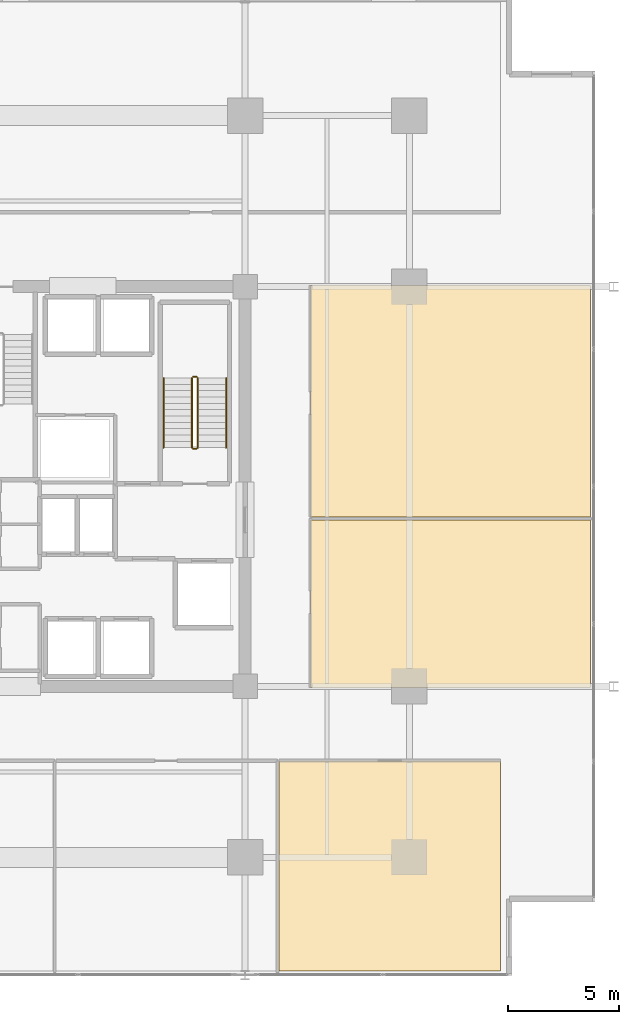
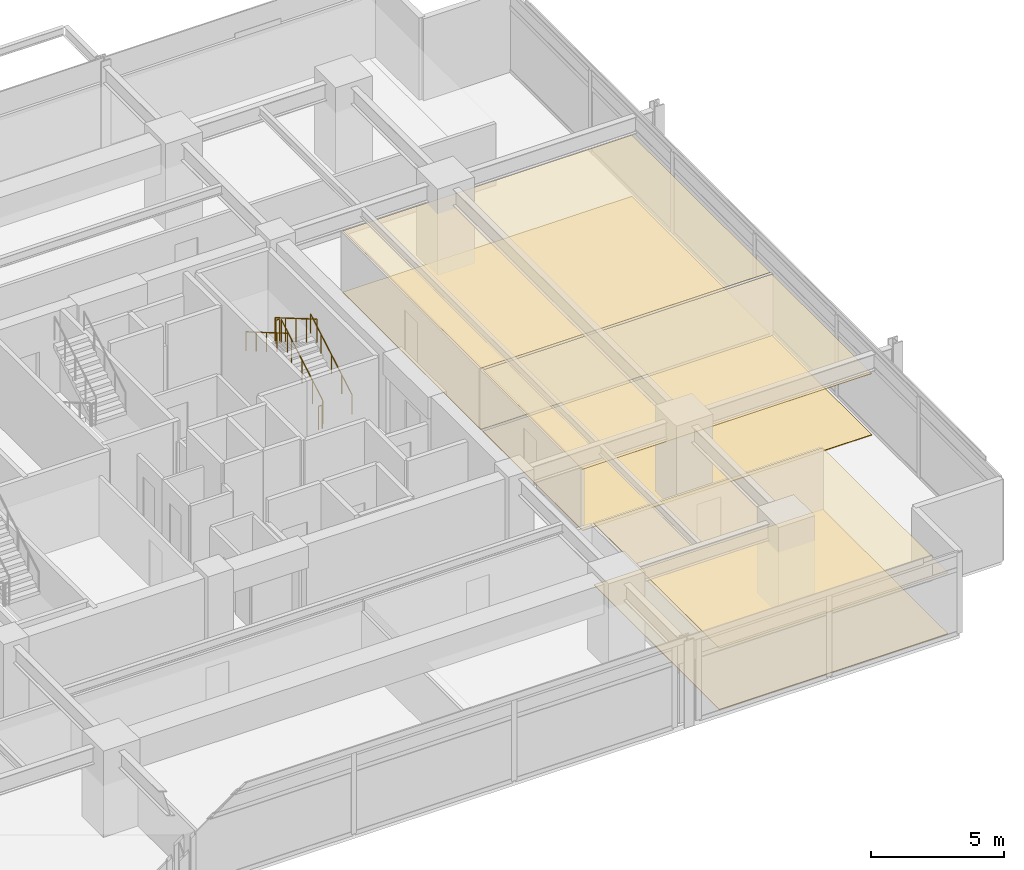
# One storey, part 19 of 20: 6 coverings, 6 railings.
"""IFC4 building model written with IfcOpenShell, lengths in metres."""

from ifc_helpers import new_model, si_unit, direction, frame, origin, origin_2d, place, context, subcontext, project, spatial, polyline, circle, outline, extrude, material, layer, layer_set, type_object, element, save


model = new_model("IFC4")

# Units and contexts
model_context = context("Model", 3, precision=1e-05, world=origin(), true_north=direction((0.0, 1.0)))
body_context = subcontext(model_context, "Body", "Model", "MODEL_VIEW")
ifc_project = project(units=[si_unit("LENGTHUNIT", "METRE"), si_unit("AREAUNIT", "SQUARE_METRE"), si_unit("VOLUMEUNIT", "CUBIC_METRE"), si_unit("PLANEANGLEUNIT", "RADIAN"), si_unit("MASSUNIT", "GRAM", prefix="KILO")], contexts=[model_context])

# Site, building, storey
site_placement = place(None, origin())
site = spatial("IfcSite", under=ifc_project, at=site_placement, CompositionType="ELEMENT")
building_placement = place(site_placement, origin())
building = spatial("IfcBuilding", under=site, at=building_placement, Name="Kovane Verandah Tower", CompositionType="ELEMENT")
storey_placement = place(building_placement, frame((0.0, 0.0, 164.39990234375)))
storey = spatial("IfcBuildingStorey", under=building, at=storey_placement, Name="L38", CompositionType="ELEMENT", Elevation=164.39990234375)

# Coverings
ifc_material_1 = material(Name="Perforated Acoustic Mineral-Fibre Ceiling Tile", Category="gypsum")
ifc_layer_1 = layer(ifc_material_1, 0.02490234375)
ifc_layer_set_1 = layer_set([ifc_layer_1], Name="Perforated Acoustic Mineral-Fibre Ceiling Tile")
covering_type_1 = type_object("IfcCoveringType", Name="CV-CEIL-25", PredefinedType="CEILING", material=ifc_layer_set_1)
covering_1_placement = place(storey_placement, frame((0.0, 0.0, 2.8251953125)))
element("IfcCovering", 1, at=covering_1_placement, inside=storey, type_object=covering_type_1, Name="L38 Executive Office S4 Acoustic Ceiling", PredefinedType="CEILING", context=body_context, shape_type="SweptSolid", body=[
    extrude(outline(polyline([(52.532958984375, 5.677001953125), (62.498046875, 5.677001953125), (62.498046875, 15.14990234375), (52.532958984375, 15.14990234375), (52.532958984375, 5.677001953125)])), origin(), (0.0, 0.0, 1.0), 0.02490234375),
])
covering_2_placement = place(storey_placement, frame((0.0, 0.0, 2.8251953125)))
element("IfcCovering", 2, at=covering_2_placement, inside=storey, type_object=covering_type_1, Name="L38 Breakout Pantry E1 Acoustic Ceiling", PredefinedType="CEILING", context=body_context, shape_type="SweptSolid", body=[
    extrude(outline(polyline([(53.949951171875, 18.449951171875), (66.548095703125, 18.449951171875), (66.548095703125, 25.98193359375), (53.949951171875, 25.98193359375), (53.949951171875, 18.449951171875)])), origin(), (0.0, 0.0, 1.0), 0.02490234375),
])
covering_3_placement = place(storey_placement, frame((0.0, 0.0, 2.8251953125)))
element("IfcCovering", 3, at=covering_3_placement, inside=storey, type_object=covering_type_1, Name="L38 Collaboration Hub E2 Acoustic Ceiling", PredefinedType="CEILING", context=body_context, shape_type="SweptSolid", body=[
    extrude(outline(polyline([(53.949951171875, 26.1220703125), (66.548095703125, 26.1220703125), (66.548095703125, 36.550048828125), (53.949951171875, 36.550048828125), (53.949951171875, 26.1220703125)])), origin(), (0.0, 0.0, 1.0), 0.02490234375),
])
ifc_material_2 = material(Name="Polished Terrazzo and Raised-Access Carpet Tile Finish", Category="concrete")
ifc_layer_2 = layer(ifc_material_2, 0.030029296875)
ifc_layer_set_2 = layer_set([ifc_layer_2], Name="Polished Terrazzo and Raised-Access Carpet Tile Finish")
covering_type_2 = type_object("IfcCoveringType", Name="CV-FLOR-30", PredefinedType="FLOORING", material=ifc_layer_set_2)
covering_4_placement = place(storey_placement, origin())
element("IfcCovering", 4, at=covering_4_placement, inside=storey, type_object=covering_type_2, Name="L38 Executive Office S4 Floor Finish", PredefinedType="FLOORING", context=body_context, shape_type="SweptSolid", body=[
    extrude(outline(polyline([(52.532958984375, 5.677001953125), (62.498046875, 5.677001953125), (62.498046875, 15.14990234375), (52.532958984375, 15.14990234375), (52.532958984375, 5.677001953125)])), origin(), (0.0, 0.0, 1.0), 0.030029296875),
])
covering_5_placement = place(storey_placement, origin())
element("IfcCovering", 5, at=covering_5_placement, inside=storey, type_object=covering_type_2, Name="L38 Breakout Pantry E1 Floor Finish", PredefinedType="FLOORING", context=body_context, shape_type="SweptSolid", body=[
    extrude(outline(polyline([(53.949951171875, 18.449951171875), (66.548095703125, 18.449951171875), (66.548095703125, 25.98193359375), (53.949951171875, 25.98193359375), (53.949951171875, 18.449951171875)])), origin(), (0.0, 0.0, 1.0), 0.030029296875),
])
covering_6_placement = place(storey_placement, origin())
element("IfcCovering", 6, at=covering_6_placement, inside=storey, type_object=covering_type_2, Name="L38 Collaboration Hub E2 Floor Finish", PredefinedType="FLOORING", context=body_context, shape_type="SweptSolid", body=[
    extrude(outline(polyline([(53.949951171875, 26.1220703125), (66.548095703125, 26.1220703125), (66.548095703125, 36.550048828125), (53.949951171875, 36.550048828125), (53.949951171875, 26.1220703125)])), origin(), (0.0, 0.0, 1.0), 0.030029296875),
])

# Railings
ifc_material_3 = material(Name="Brushed Stainless Steel Handrail", Category="steel")
railing_type_1 = type_object("IfcRailingType", Name="RL-HAND-920", PredefinedType="HANDRAIL", material=ifc_material_3)
railing_1_placement = place(storey_placement, frame((50.14990234375, 29.25, 0.166748046875)))
element("IfcRailing", 7, at=railing_1_placement, inside=storey, type_object=railing_type_1, Name="L38 ST-02 stair handrail 1", PredefinedType="HANDRAIL", context=body_context, shape_type="SweptSolid", body=[
    extrude(circle(Radius=0.02392578125, at=origin_2d()), frame((0.0, 0.0, 0.8759765625), z_axis=(0.0, 0.863239559939, 0.504794475164), x_axis=(-1.0, 0.0, 0.0)), (0.0, 0.0, 1.0), 3.631591796875),
    extrude(circle(Radius=0.02099609375, at=origin_2d()), origin(), (0.0, 0.0, 1.0), 0.851806640625),
    extrude(circle(Radius=0.02099609375, at=origin_2d()), frame((0.0, 0.78369140625, 0.458251953125)), (0.0, 0.0, 1.0), 0.851806640625),
    extrude(circle(Radius=0.02099609375, at=origin_2d()), frame((0.0, 1.5673828125, 0.91650390625)), (0.0, 0.0, 1.0), 0.851806640625),
    extrude(circle(Radius=0.02099609375, at=origin_2d()), frame((0.0, 2.351318359375, 1.375)), (0.0, 0.0, 1.0), 0.851806640625),
    extrude(circle(Radius=0.02099609375, at=origin_2d()), frame((0.0, 3.135009765625, 1.833251953125)), (0.0, 0.0, 1.0), 0.851806640625),
])
railing_2_placement = place(storey_placement, frame((47.330078125, 32.385009765625, 2.166748046875)))
element("IfcRailing", 8, at=railing_2_placement, inside=storey, type_object=railing_type_1, Name="L38 ST-02 stair handrail 2", PredefinedType="HANDRAIL", context=body_context, shape_type="SweptSolid", body=[
    extrude(circle(Radius=0.02392578125, at=origin_2d()), frame((0.0, 0.0, 0.8759765625), z_axis=(0.0, -0.863239559939, 0.504794475164), x_axis=(1.0, 0.0, 0.0)), (0.0, 0.0, 1.0), 3.631591796875),
    extrude(circle(Radius=0.02099609375, at=origin_2d()), origin(), (0.0, 0.0, 1.0), 0.851806640625),
    extrude(circle(Radius=0.02099609375, at=origin_2d()), frame((0.0, -0.78369140625, 0.458251953125)), (0.0, 0.0, 1.0), 0.851806640625),
    extrude(circle(Radius=0.02099609375, at=origin_2d()), frame((0.0, -1.5673828125, 0.91650390625)), (0.0, 0.0, 1.0), 0.851806640625),
    extrude(circle(Radius=0.02099609375, at=origin_2d()), frame((0.0, -2.351318359375, 1.375)), (0.0, 0.0, 1.0), 0.851806640625),
    extrude(circle(Radius=0.02099609375, at=origin_2d()), frame((0.0, -3.135009765625, 1.833251953125)), (0.0, 0.0, 1.0), 0.851806640625),
])
ifc_material_4 = material(Name="Painted Steel Stairwell Guardrail", Category="steel")
railing_type_2 = type_object("IfcRailingType", Name="RL-STGUARD-1120", PredefinedType="GUARDRAIL", material=ifc_material_4)
railing_3_placement = place(storey_placement, frame((48.8701171875, 29.25, 0.166748046875)))
element("IfcRailing", 9, at=railing_3_placement, inside=storey, type_object=railing_type_2, Name="L38 ST-02 stair guard 1", PredefinedType="GUARDRAIL", context=body_context, shape_type="SweptSolid", body=[
    extrude(circle(Radius=0.02392578125, at=origin_2d()), frame((0.0, 0.0, 1.076171875), z_axis=(0.0, 0.863239559939, 0.504794475164), x_axis=(-1.0, 0.0, 0.0)), (0.0, 0.0, 1.0), 3.631591796875),
    extrude(circle(Radius=0.02099609375, at=origin_2d()), origin(), (0.0, 0.0, 1.0), 1.052001953125),
    extrude(circle(Radius=0.02099609375, at=origin_2d()), frame((0.0, 0.78369140625, 0.458251953125)), (0.0, 0.0, 1.0), 1.052001953125),
    extrude(circle(Radius=0.02099609375, at=origin_2d()), frame((0.0, 1.5673828125, 0.91650390625)), (0.0, 0.0, 1.0), 1.052001953125),
    extrude(circle(Radius=0.02099609375, at=origin_2d()), frame((0.0, 2.351318359375, 1.375)), (0.0, 0.0, 1.0), 1.052001953125),
    extrude(circle(Radius=0.02099609375, at=origin_2d()), frame((0.0, 3.135009765625, 1.833251953125)), (0.0, 0.0, 1.0), 1.052001953125),
])
railing_4_placement = place(storey_placement, frame((48.820068359375, 32.43505859375, 2.0)))
element("IfcRailing", 10, at=railing_4_placement, inside=storey, type_object=railing_type_2, Name="L38 ST-02 stair guard 2", PredefinedType="GUARDRAIL", context=body_context, shape_type="SweptSolid", body=[
    extrude(circle(Radius=0.02392578125, at=origin_2d()), frame((0.0, 0.0, 1.076171875), z_axis=(-1.0, 0.0, 0.0), x_axis=(0.0, -1.0, 0.0)), (0.0, 0.0, 1.0), 0.16015625),
    extrude(circle(Radius=0.02099609375, at=origin_2d()), origin(), (0.0, 0.0, 1.0), 1.052001953125),
    extrude(circle(Radius=0.02099609375, at=origin_2d()), frame((-0.16015625, 0.0, 0.0)), (0.0, 0.0, 1.0), 1.052001953125),
])
railing_5_placement = place(storey_placement, frame((48.610107421875, 32.385009765625, 2.166748046875)))
element("IfcRailing", 11, at=railing_5_placement, inside=storey, type_object=railing_type_2, Name="L38 ST-02 stair guard 3", PredefinedType="GUARDRAIL", context=body_context, shape_type="SweptSolid", body=[
    extrude(circle(Radius=0.02392578125, at=origin_2d()), frame((0.0, 0.0, 1.076171875), z_axis=(0.0, -0.863239559939, 0.504794475164), x_axis=(1.0, 0.0, 0.0)), (0.0, 0.0, 1.0), 3.631591796875),
    extrude(circle(Radius=0.02099609375, at=origin_2d()), origin(), (0.0, 0.0, 1.0), 1.052001953125),
    extrude(circle(Radius=0.02099609375, at=origin_2d()), frame((0.0, -0.78369140625, 0.458251953125)), (0.0, 0.0, 1.0), 1.052001953125),
    extrude(circle(Radius=0.02099609375, at=origin_2d()), frame((0.0, -1.5673828125, 0.91650390625)), (0.0, 0.0, 1.0), 1.052001953125),
    extrude(circle(Radius=0.02099609375, at=origin_2d()), frame((0.0, -2.351318359375, 1.375)), (0.0, 0.0, 1.0), 1.052001953125),
    extrude(circle(Radius=0.02099609375, at=origin_2d()), frame((0.0, -3.135009765625, 1.833251953125)), (0.0, 0.0, 1.0), 1.052001953125),
])
railing_6_placement = place(storey_placement, frame((48.820068359375, 29.199951171875, 0.0)))
element("IfcRailing", 12, at=railing_6_placement, inside=storey, type_object=railing_type_2, Name="L38 ST-02 stair guard 4", PredefinedType="GUARDRAIL", context=body_context, shape_type="SweptSolid", body=[
    extrude(circle(Radius=0.02392578125, at=origin_2d()), frame((0.0, 0.0, 1.076171875), z_axis=(-1.0, 0.0, 0.0), x_axis=(0.0, -1.0, 0.0)), (0.0, 0.0, 1.0), 0.16015625),
    extrude(circle(Radius=0.02099609375, at=origin_2d()), origin(), (0.0, 0.0, 1.0), 1.052001953125),
    extrude(circle(Radius=0.02099609375, at=origin_2d()), frame((-0.16015625, 0.0, 0.0)), (0.0, 0.0, 1.0), 1.052001953125),
])

save(model, "model.ifc")
